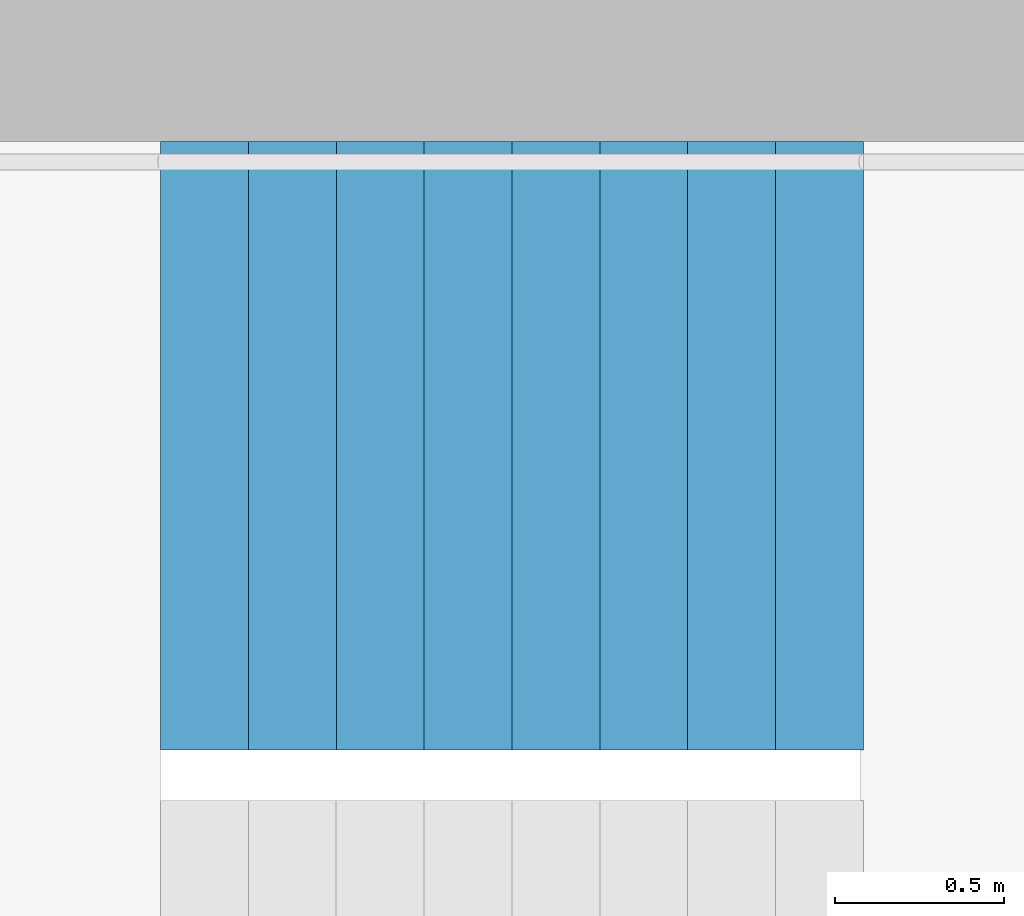
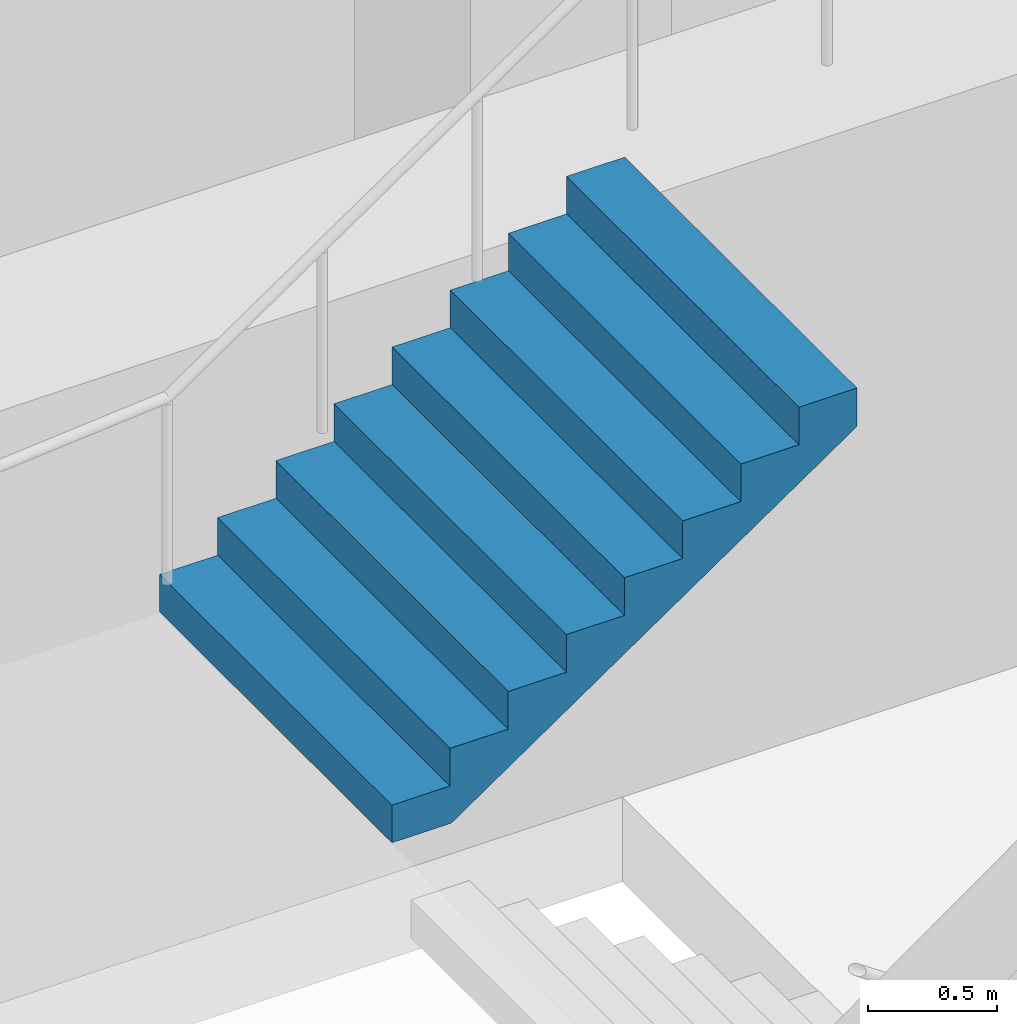
# One storey, part 28 of 29: 1 stair flight, 1 element without a shape of its own.
"""IFC4 building model written with IfcOpenShell, lengths in metres."""

from ifc_helpers import new_model, si_unit, direction, frame, origin, place, context, subcontext, project, spatial, triangles, material, type_object, element, aggregate, save


model = new_model("IFC4")

# Units and contexts
model_context = context("Model", 3, precision=1e-05, world=origin(), true_north=direction((0.0, 1.0)))
body_context = subcontext(model_context, "Body", "Model", "MODEL_VIEW")
ifc_project = project(units=[si_unit("LENGTHUNIT", "METRE"), si_unit("AREAUNIT", "SQUARE_METRE"), si_unit("VOLUMEUNIT", "CUBIC_METRE"), si_unit("PLANEANGLEUNIT", "RADIAN"), si_unit("MASSUNIT", "GRAM", prefix="KILO")], contexts=[model_context])

# Site, building, storey
site_placement = place(None, origin())
site = spatial("IfcSite", under=ifc_project, at=site_placement, CompositionType="ELEMENT")
building_placement = place(site_placement, origin())
building = spatial("IfcBuilding", under=site, at=building_placement, Name="Hakoniwa Tower and Hamabe Station Hall", CompositionType="ELEMENT")
storey_placement = place(building_placement, frame((0.0, 0.0, 78.60009765625)))
storey = spatial("IfcBuildingStorey", under=building, at=storey_placement, Name="L21", CompositionType="ELEMENT", Elevation=78.60009765625)

# Stair, stair flight
ifc_material_1 = material(Name="Concrete C40", Category="concrete")
stair_type = type_object("IfcStairType", Name="ESCAPE STAIR 1800", PredefinedType="HALF_TURN_STAIR", material=ifc_material_1)
stair_placement = place(storey_placement, origin())
stair = element("IfcStair", 1, at=stair_placement, inside=storey, type_object=stair_type, Name="Escape stair ST-3 L21", PredefinedType="HALF_TURN_STAIR")
ifc_material_2 = material(Name="Concrete C40", Category="concrete")
stair_flight_type = type_object("IfcStairFlightType", Name="STAIR FLIGHT 1800", PredefinedType="STRAIGHT", material=ifc_material_2)
stair_flight_placement = place(storey_placement, frame((22.320068359375, 6.60009765625, 1.599853515625), z_axis=(0.0, 0.0, 1.0), x_axis=(1.0, 0.0, 0.0)))
stair_flight = element("IfcStairFlight", 2, at=stair_flight_placement, type_object=stair_flight_type, Name="ST-3 flight 2", NumberOfRisers=9, NumberOfTreads=8, PredefinedType="STRAIGHT", RiserHeight=0.177777778, TreadLength=0.26, context=body_context, shape_type="Tessellation", body=[
    triangles([(0.0, 0.89990234375, 0.0), (0.260009765625, 0.89990234375, 0.0), (0.265625, 0.89990234375, 0.0), (0.52001953125, 0.89990234375, 0.174072265625), (0.780029296875, 0.89990234375, 0.351806640625), (1.0400390625, 0.89990234375, 0.529541015625), (1.300048828125, 0.89990234375, 0.707275390625), (1.56005859375, 0.89990234375, 0.885009765625), (1.820068359375, 0.89990234375, 1.062744140625), (2.080078125, 0.89990234375, 1.24072265625), (2.080078125, 0.89990234375, 1.422119140625), (1.820068359375, 0.89990234375, 1.422119140625), (1.820068359375, 0.89990234375, 1.244384765625), (1.56005859375, 0.89990234375, 1.244384765625), (1.56005859375, 0.89990234375, 1.066650390625), (1.300048828125, 0.89990234375, 1.066650390625), (1.300048828125, 0.89990234375, 0.888916015625), (1.0400390625, 0.89990234375, 0.888916015625), (1.0400390625, 0.89990234375, 0.711181640625), (0.780029296875, 0.89990234375, 0.711181640625), (0.780029296875, 0.89990234375, 0.533447265625), (0.52001953125, 0.89990234375, 0.533447265625), (0.52001953125, 0.89990234375, 0.35546875), (0.265625, 0.89990234375, 0.35546875), (0.260009765625, 0.89990234375, 0.35546875), (0.260009765625, 0.89990234375, 0.177734375), (0.0, 0.89990234375, 0.177734375), (0.0, 0.06005859375, 0.0), (0.260009765625, 0.06005859375, 0.0), (0.265625, 0.06005859375, 0.0), (0.52001953125, 0.06005859375, 0.174072265625), (0.780029296875, 0.06005859375, 0.351806640625), (1.0400390625, 0.06005859375, 0.529541015625), (1.300048828125, 0.06005859375, 0.707275390625), (1.56005859375, 0.06005859375, 0.885009765625), (1.820068359375, 0.06005859375, 1.062744140625), (2.080078125, 0.06005859375, 1.24072265625), (2.080078125, 0.06005859375, 1.422119140625), (1.820068359375, 0.06005859375, 1.422119140625), (1.820068359375, 0.06005859375, 1.244384765625), (1.56005859375, 0.06005859375, 1.244384765625), (1.56005859375, 0.06005859375, 1.066650390625), (1.300048828125, 0.06005859375, 1.066650390625), (1.300048828125, 0.06005859375, 0.888916015625), (1.0400390625, 0.06005859375, 0.888916015625), (1.0400390625, 0.06005859375, 0.711181640625), (0.780029296875, 0.06005859375, 0.711181640625), (0.780029296875, 0.06005859375, 0.533447265625), (0.52001953125, 0.06005859375, 0.533447265625), (0.52001953125, 0.06005859375, 0.35546875), (0.265625, 0.06005859375, 0.35546875), (0.260009765625, 0.06005859375, 0.35546875), (0.260009765625, 0.06005859375, 0.177734375), (0.0, 0.06005859375, 0.177734375), (0.0, 0.04296875, 0.0), (0.260009765625, 0.04296875, 0.0), (0.265625, 0.04296875, 0.0), (0.52001953125, 0.04296875, 0.174072265625), (0.780029296875, 0.04296875, 0.351806640625), (1.0400390625, 0.04296875, 0.529541015625), (1.300048828125, 0.04296875, 0.707275390625), (1.56005859375, 0.04296875, 0.885009765625), (1.820068359375, 0.04296875, 1.062744140625), (2.080078125, 0.04296875, 1.24072265625), (2.080078125, 0.04296875, 1.422119140625), (1.820068359375, 0.04296875, 1.422119140625), (1.820068359375, 0.04296875, 1.244384765625), (1.56005859375, 0.04296875, 1.244384765625), (1.56005859375, 0.04296875, 1.066650390625), (1.300048828125, 0.04296875, 1.066650390625), (1.300048828125, 0.04296875, 0.888916015625), (1.0400390625, 0.04296875, 0.888916015625), (1.0400390625, 0.04296875, 0.711181640625), (0.780029296875, 0.04296875, 0.711181640625), (0.780029296875, 0.04296875, 0.533447265625), (0.52001953125, 0.04296875, 0.533447265625), (0.52001953125, 0.04296875, 0.35546875), (0.265625, 0.04296875, 0.35546875), (0.260009765625, 0.04296875, 0.35546875), (0.260009765625, 0.04296875, 0.177734375), (0.0, 0.04296875, 0.177734375), (0.0, 0.025634765625, 0.0), (0.260009765625, 0.025634765625, 0.0), (0.265625, 0.025634765625, 0.0), (0.52001953125, 0.025634765625, 0.174072265625), (0.780029296875, 0.025634765625, 0.351806640625), (1.0400390625, 0.025634765625, 0.529541015625), (1.300048828125, 0.025634765625, 0.707275390625), (1.56005859375, 0.025634765625, 0.885009765625), (1.820068359375, 0.025634765625, 1.062744140625), (2.080078125, 0.025634765625, 1.24072265625), (2.080078125, 0.025634765625, 1.422119140625), (1.820068359375, 0.025634765625, 1.422119140625), (1.820068359375, 0.025634765625, 1.244384765625), (1.56005859375, 0.025634765625, 1.244384765625), (1.56005859375, 0.025634765625, 1.066650390625), (1.300048828125, 0.025634765625, 1.066650390625), (1.300048828125, 0.025634765625, 0.888916015625), (1.0400390625, 0.025634765625, 0.888916015625), (1.0400390625, 0.025634765625, 0.711181640625), (0.780029296875, 0.025634765625, 0.711181640625), (0.780029296875, 0.025634765625, 0.533447265625), (0.52001953125, 0.025634765625, 0.533447265625), (0.52001953125, 0.025634765625, 0.35546875), (0.265625, 0.025634765625, 0.35546875), (0.260009765625, 0.025634765625, 0.35546875), (0.260009765625, 0.025634765625, 0.177734375), (0.0, 0.025634765625, 0.177734375), (0.0, 0.008544921875, 0.0), (0.260009765625, 0.008544921875, 0.0), (0.265625, 0.008544921875, 0.0), (0.52001953125, 0.008544921875, 0.174072265625), (0.780029296875, 0.008544921875, 0.351806640625), (1.0400390625, 0.008544921875, 0.529541015625), (1.300048828125, 0.008544921875, 0.707275390625), (1.56005859375, 0.008544921875, 0.885009765625), (1.820068359375, 0.008544921875, 1.062744140625), (2.080078125, 0.008544921875, 1.24072265625), (2.080078125, 0.008544921875, 1.422119140625), (1.820068359375, 0.008544921875, 1.422119140625), (1.820068359375, 0.008544921875, 1.244384765625), (1.56005859375, 0.008544921875, 1.244384765625), (1.56005859375, 0.008544921875, 1.066650390625), (1.300048828125, 0.008544921875, 1.066650390625), (1.300048828125, 0.008544921875, 0.888916015625), (1.0400390625, 0.008544921875, 0.888916015625), (1.0400390625, 0.008544921875, 0.711181640625), (0.780029296875, 0.008544921875, 0.711181640625), (0.780029296875, 0.008544921875, 0.533447265625), (0.52001953125, 0.008544921875, 0.533447265625), (0.52001953125, 0.008544921875, 0.35546875), (0.265625, 0.008544921875, 0.35546875), (0.260009765625, 0.008544921875, 0.35546875), (0.260009765625, 0.008544921875, 0.177734375), (0.0, 0.008544921875, 0.177734375), (0.0, -0.008544921875, 0.0), (0.260009765625, -0.008544921875, 0.0), (0.265625, -0.008544921875, 0.0), (0.52001953125, -0.008544921875, 0.174072265625), (0.780029296875, -0.008544921875, 0.351806640625), (1.0400390625, -0.008544921875, 0.529541015625), (1.300048828125, -0.008544921875, 0.707275390625), (1.56005859375, -0.008544921875, 0.885009765625), (1.820068359375, -0.008544921875, 1.062744140625), (2.080078125, -0.008544921875, 1.24072265625), (2.080078125, -0.008544921875, 1.422119140625), (1.820068359375, -0.008544921875, 1.422119140625), (1.820068359375, -0.008544921875, 1.244384765625), (1.56005859375, -0.008544921875, 1.244384765625), (1.56005859375, -0.008544921875, 1.066650390625), (1.300048828125, -0.008544921875, 1.066650390625), (1.300048828125, -0.008544921875, 0.888916015625), (1.0400390625, -0.008544921875, 0.888916015625), (1.0400390625, -0.008544921875, 0.711181640625), (0.780029296875, -0.008544921875, 0.711181640625), (0.780029296875, -0.008544921875, 0.533447265625), (0.52001953125, -0.008544921875, 0.533447265625), (0.52001953125, -0.008544921875, 0.35546875), (0.265625, -0.008544921875, 0.35546875), (0.260009765625, -0.008544921875, 0.35546875), (0.260009765625, -0.008544921875, 0.177734375), (0.0, -0.008544921875, 0.177734375), (0.0, -0.025634765625, 0.0), (0.260009765625, -0.025634765625, 0.0), (0.265625, -0.025634765625, 0.0), (0.52001953125, -0.025634765625, 0.174072265625), (0.780029296875, -0.025634765625, 0.351806640625), (1.0400390625, -0.025634765625, 0.529541015625), (1.300048828125, -0.025634765625, 0.707275390625), (1.56005859375, -0.025634765625, 0.885009765625), (1.820068359375, -0.025634765625, 1.062744140625), (2.080078125, -0.025634765625, 1.24072265625), (2.080078125, -0.025634765625, 1.422119140625), (1.820068359375, -0.025634765625, 1.422119140625), (1.820068359375, -0.025634765625, 1.244384765625), (1.56005859375, -0.025634765625, 1.244384765625), (1.56005859375, -0.025634765625, 1.066650390625), (1.300048828125, -0.025634765625, 1.066650390625), (1.300048828125, -0.025634765625, 0.888916015625), (1.0400390625, -0.025634765625, 0.888916015625), (1.0400390625, -0.025634765625, 0.711181640625), (0.780029296875, -0.025634765625, 0.711181640625), (0.780029296875, -0.025634765625, 0.533447265625), (0.52001953125, -0.025634765625, 0.533447265625), (0.52001953125, -0.025634765625, 0.35546875), (0.265625, -0.025634765625, 0.35546875), (0.260009765625, -0.025634765625, 0.35546875), (0.260009765625, -0.025634765625, 0.177734375), (0.0, -0.025634765625, 0.177734375), (0.0, -0.04296875, 0.0), (0.260009765625, -0.04296875, 0.0), (0.265625, -0.04296875, 0.0), (0.52001953125, -0.04296875, 0.174072265625), (0.780029296875, -0.04296875, 0.351806640625), (1.0400390625, -0.04296875, 0.529541015625), (1.300048828125, -0.04296875, 0.707275390625), (1.56005859375, -0.04296875, 0.885009765625), (1.820068359375, -0.04296875, 1.062744140625), (2.080078125, -0.04296875, 1.24072265625), (2.080078125, -0.04296875, 1.422119140625), (1.820068359375, -0.04296875, 1.422119140625), (1.820068359375, -0.04296875, 1.244384765625), (1.56005859375, -0.04296875, 1.244384765625), (1.56005859375, -0.04296875, 1.066650390625), (1.300048828125, -0.04296875, 1.066650390625), (1.300048828125, -0.04296875, 0.888916015625), (1.0400390625, -0.04296875, 0.888916015625), (1.0400390625, -0.04296875, 0.711181640625), (0.780029296875, -0.04296875, 0.711181640625), (0.780029296875, -0.04296875, 0.533447265625), (0.52001953125, -0.04296875, 0.533447265625), (0.52001953125, -0.04296875, 0.35546875), (0.265625, -0.04296875, 0.35546875), (0.260009765625, -0.04296875, 0.35546875), (0.260009765625, -0.04296875, 0.177734375), (0.0, -0.04296875, 0.177734375), (0.0, -0.06005859375, 0.0), (0.260009765625, -0.06005859375, 0.0), (0.265625, -0.06005859375, 0.0), (0.52001953125, -0.06005859375, 0.174072265625), (0.780029296875, -0.06005859375, 0.351806640625), (1.0400390625, -0.06005859375, 0.529541015625), (1.300048828125, -0.06005859375, 0.707275390625), (1.56005859375, -0.06005859375, 0.885009765625), (1.820068359375, -0.06005859375, 1.062744140625), (2.080078125, -0.06005859375, 1.24072265625), (2.080078125, -0.06005859375, 1.422119140625), (1.820068359375, -0.06005859375, 1.422119140625), (1.820068359375, -0.06005859375, 1.244384765625), (1.56005859375, -0.06005859375, 1.244384765625), (1.56005859375, -0.06005859375, 1.066650390625), (1.300048828125, -0.06005859375, 1.066650390625), (1.300048828125, -0.06005859375, 0.888916015625), (1.0400390625, -0.06005859375, 0.888916015625), (1.0400390625, -0.06005859375, 0.711181640625), (0.780029296875, -0.06005859375, 0.711181640625), (0.780029296875, -0.06005859375, 0.533447265625), (0.52001953125, -0.06005859375, 0.533447265625), (0.52001953125, -0.06005859375, 0.35546875), (0.265625, -0.06005859375, 0.35546875), (0.260009765625, -0.06005859375, 0.35546875), (0.260009765625, -0.06005859375, 0.177734375), (0.0, -0.06005859375, 0.177734375), (0.0, -0.89990234375, 0.0), (0.260009765625, -0.89990234375, 0.0), (0.265625, -0.89990234375, 0.0), (0.52001953125, -0.89990234375, 0.174072265625), (0.780029296875, -0.89990234375, 0.351806640625), (1.0400390625, -0.89990234375, 0.529541015625), (1.300048828125, -0.89990234375, 0.707275390625), (1.56005859375, -0.89990234375, 0.885009765625), (1.820068359375, -0.89990234375, 1.062744140625), (2.080078125, -0.89990234375, 1.24072265625), (2.080078125, -0.89990234375, 1.422119140625), (1.820068359375, -0.89990234375, 1.422119140625), (1.820068359375, -0.89990234375, 1.244384765625), (1.56005859375, -0.89990234375, 1.244384765625), (1.56005859375, -0.89990234375, 1.066650390625), (1.300048828125, -0.89990234375, 1.066650390625), (1.300048828125, -0.89990234375, 0.888916015625), (1.0400390625, -0.89990234375, 0.888916015625), (1.0400390625, -0.89990234375, 0.711181640625), (0.780029296875, -0.89990234375, 0.711181640625), (0.780029296875, -0.89990234375, 0.533447265625), (0.52001953125, -0.89990234375, 0.533447265625), (0.52001953125, -0.89990234375, 0.35546875), (0.265625, -0.89990234375, 0.35546875), (0.260009765625, -0.89990234375, 0.35546875), (0.260009765625, -0.89990234375, 0.177734375), (0.0, -0.89990234375, 0.177734375)], [[2, 27, 26], [245, 269, 270], [2, 1, 27], [245, 270, 244], [3, 25, 24], [246, 267, 268], [3, 26, 25], [246, 268, 269], [3, 2, 26], [246, 269, 245], [4, 24, 23], [247, 266, 267], [4, 3, 24], [247, 267, 246], [5, 22, 21], [248, 264, 265], [5, 23, 22], [248, 265, 266], [5, 4, 23], [248, 266, 247], [6, 20, 19], [249, 262, 263], [6, 21, 20], [249, 263, 264], [6, 5, 21], [249, 264, 248], [7, 18, 17], [250, 260, 261], [7, 19, 18], [250, 261, 262], [7, 6, 19], [250, 262, 249], [8, 16, 15], [251, 258, 259], [8, 17, 16], [251, 259, 260], [8, 7, 17], [251, 260, 250], [9, 14, 13], [252, 256, 257], [9, 15, 14], [252, 257, 258], [9, 8, 15], [252, 258, 251], [10, 12, 11], [253, 254, 255], [10, 13, 12], [253, 255, 256], [10, 9, 13], [253, 256, 252], [1, 2, 29], [1, 29, 28], [28, 29, 56], [28, 56, 55], [55, 56, 83], [55, 83, 82], [82, 83, 110], [82, 110, 109], [109, 110, 137], [109, 137, 136], [136, 137, 164], [136, 164, 163], [163, 164, 191], [163, 191, 190], [190, 191, 218], [190, 218, 217], [217, 218, 245], [217, 245, 244], [2, 3, 30], [2, 30, 29], [29, 30, 57], [29, 57, 56], [56, 57, 84], [56, 84, 83], [83, 84, 111], [83, 111, 110], [110, 111, 138], [110, 138, 137], [137, 138, 165], [137, 165, 164], [164, 165, 192], [164, 192, 191], [191, 192, 219], [191, 219, 218], [218, 219, 246], [218, 246, 245], [3, 4, 31], [3, 31, 30], [30, 31, 58], [30, 58, 57], [57, 58, 85], [57, 85, 84], [84, 85, 112], [84, 112, 111], [111, 112, 139], [111, 139, 138], [138, 139, 166], [138, 166, 165], [165, 166, 193], [165, 193, 192], [192, 193, 220], [192, 220, 219], [219, 220, 247], [219, 247, 246], [4, 5, 32], [4, 32, 31], [31, 32, 59], [31, 59, 58], [58, 59, 86], [58, 86, 85], [85, 86, 113], [85, 113, 112], [112, 113, 140], [112, 140, 139], [139, 140, 167], [139, 167, 166], [166, 167, 194], [166, 194, 193], [193, 194, 221], [193, 221, 220], [220, 221, 248], [220, 248, 247], [5, 6, 33], [5, 33, 32], [32, 33, 60], [32, 60, 59], [59, 60, 87], [59, 87, 86], [86, 87, 114], [86, 114, 113], [113, 114, 141], [113, 141, 140], [140, 141, 168], [140, 168, 167], [167, 168, 195], [167, 195, 194], [194, 195, 222], [194, 222, 221], [221, 222, 249], [221, 249, 248], [6, 7, 34], [6, 34, 33], [33, 34, 61], [33, 61, 60], [60, 61, 88], [60, 88, 87], [87, 88, 115], [87, 115, 114], [114, 115, 142], [114, 142, 141], [141, 142, 169], [141, 169, 168], [168, 169, 196], [168, 196, 195], [195, 196, 223], [195, 223, 222], [222, 223, 250], [222, 250, 249], [7, 8, 35], [7, 35, 34], [34, 35, 62], [34, 62, 61], [61, 62, 89], [61, 89, 88], [88, 89, 116], [88, 116, 115], [115, 116, 143], [115, 143, 142], [142, 143, 170], [142, 170, 169], [169, 170, 197], [169, 197, 196], [196, 197, 224], [196, 224, 223], [223, 224, 251], [223, 251, 250], [8, 9, 36], [8, 36, 35], [35, 36, 63], [35, 63, 62], [62, 63, 90], [62, 90, 89], [89, 90, 117], [89, 117, 116], [116, 117, 144], [116, 144, 143], [143, 144, 171], [143, 171, 170], [170, 171, 198], [170, 198, 197], [197, 198, 225], [197, 225, 224], [224, 225, 252], [224, 252, 251], [9, 10, 37], [9, 37, 36], [36, 37, 64], [36, 64, 63], [63, 64, 91], [63, 91, 90], [90, 91, 118], [90, 118, 117], [117, 118, 145], [117, 145, 144], [144, 145, 172], [144, 172, 171], [171, 172, 199], [171, 199, 198], [198, 199, 226], [198, 226, 225], [225, 226, 253], [225, 253, 252], [10, 11, 38], [10, 38, 37], [37, 38, 65], [37, 65, 64], [64, 65, 92], [64, 92, 91], [91, 92, 119], [91, 119, 118], [118, 119, 146], [118, 146, 145], [145, 146, 173], [145, 173, 172], [172, 173, 200], [172, 200, 199], [199, 200, 227], [199, 227, 226], [226, 227, 254], [226, 254, 253], [11, 12, 39], [11, 39, 38], [38, 39, 66], [38, 66, 65], [65, 66, 93], [65, 93, 92], [92, 93, 120], [92, 120, 119], [119, 120, 147], [119, 147, 146], [146, 147, 174], [146, 174, 173], [173, 174, 201], [173, 201, 200], [200, 201, 228], [200, 228, 227], [227, 228, 255], [227, 255, 254], [12, 13, 40], [12, 40, 39], [39, 40, 67], [39, 67, 66], [66, 67, 94], [66, 94, 93], [93, 94, 121], [93, 121, 120], [120, 121, 148], [120, 148, 147], [147, 148, 175], [147, 175, 174], [174, 175, 202], [174, 202, 201], [201, 202, 229], [201, 229, 228], [228, 229, 256], [228, 256, 255], [13, 14, 41], [13, 41, 40], [40, 41, 68], [40, 68, 67], [67, 68, 95], [67, 95, 94], [94, 95, 122], [94, 122, 121], [121, 122, 149], [121, 149, 148], [148, 149, 176], [148, 176, 175], [175, 176, 203], [175, 203, 202], [202, 203, 230], [202, 230, 229], [229, 230, 257], [229, 257, 256], [14, 15, 42], [14, 42, 41], [41, 42, 69], [41, 69, 68], [68, 69, 96], [68, 96, 95], [95, 96, 123], [95, 123, 122], [122, 123, 150], [122, 150, 149], [149, 150, 177], [149, 177, 176], [176, 177, 204], [176, 204, 203], [203, 204, 231], [203, 231, 230], [230, 231, 258], [230, 258, 257], [15, 16, 43], [15, 43, 42], [42, 43, 70], [42, 70, 69], [69, 70, 97], [69, 97, 96], [96, 97, 124], [96, 124, 123], [123, 124, 151], [123, 151, 150], [150, 151, 178], [150, 178, 177], [177, 178, 205], [177, 205, 204], [204, 205, 232], [204, 232, 231], [231, 232, 259], [231, 259, 258], [16, 17, 44], [16, 44, 43], [43, 44, 71], [43, 71, 70], [70, 71, 98], [70, 98, 97], [97, 98, 125], [97, 125, 124], [124, 125, 152], [124, 152, 151], [151, 152, 179], [151, 179, 178], [178, 179, 206], [178, 206, 205], [205, 206, 233], [205, 233, 232], [232, 233, 260], [232, 260, 259], [17, 18, 45], [17, 45, 44], [44, 45, 72], [44, 72, 71], [71, 72, 99], [71, 99, 98], [98, 99, 126], [98, 126, 125], [125, 126, 153], [125, 153, 152], [152, 153, 180], [152, 180, 179], [179, 180, 207], [179, 207, 206], [206, 207, 234], [206, 234, 233], [233, 234, 261], [233, 261, 260], [18, 19, 46], [18, 46, 45], [45, 46, 73], [45, 73, 72], [72, 73, 100], [72, 100, 99], [99, 100, 127], [99, 127, 126], [126, 127, 154], [126, 154, 153], [153, 154, 181], [153, 181, 180], [180, 181, 208], [180, 208, 207], [207, 208, 235], [207, 235, 234], [234, 235, 262], [234, 262, 261], [19, 20, 47], [19, 47, 46], [46, 47, 74], [46, 74, 73], [73, 74, 101], [73, 101, 100], [100, 101, 128], [100, 128, 127], [127, 128, 155], [127, 155, 154], [154, 155, 182], [154, 182, 181], [181, 182, 209], [181, 209, 208], [208, 209, 236], [208, 236, 235], [235, 236, 263], [235, 263, 262], [20, 21, 48], [20, 48, 47], [47, 48, 75], [47, 75, 74], [74, 75, 102], [74, 102, 101], [101, 102, 129], [101, 129, 128], [128, 129, 156], [128, 156, 155], [155, 156, 183], [155, 183, 182], [182, 183, 210], [182, 210, 209], [209, 210, 237], [209, 237, 236], [236, 237, 264], [236, 264, 263], [21, 22, 49], [21, 49, 48], [48, 49, 76], [48, 76, 75], [75, 76, 103], [75, 103, 102], [102, 103, 130], [102, 130, 129], [129, 130, 157], [129, 157, 156], [156, 157, 184], [156, 184, 183], [183, 184, 211], [183, 211, 210], [210, 211, 238], [210, 238, 237], [237, 238, 265], [237, 265, 264], [22, 23, 50], [22, 50, 49], [49, 50, 77], [49, 77, 76], [76, 77, 104], [76, 104, 103], [103, 104, 131], [103, 131, 130], [130, 131, 158], [130, 158, 157], [157, 158, 185], [157, 185, 184], [184, 185, 212], [184, 212, 211], [211, 212, 239], [211, 239, 238], [238, 239, 266], [238, 266, 265], [23, 24, 51], [23, 51, 50], [50, 51, 78], [50, 78, 77], [77, 78, 105], [77, 105, 104], [104, 105, 132], [104, 132, 131], [131, 132, 159], [131, 159, 158], [158, 159, 186], [158, 186, 185], [185, 186, 213], [185, 213, 212], [212, 213, 240], [212, 240, 239], [239, 240, 267], [239, 267, 266], [24, 25, 52], [24, 52, 51], [51, 52, 79], [51, 79, 78], [78, 79, 106], [78, 106, 105], [105, 106, 133], [105, 133, 132], [132, 133, 160], [132, 160, 159], [159, 160, 187], [159, 187, 186], [186, 187, 214], [186, 214, 213], [213, 214, 241], [213, 241, 240], [240, 241, 268], [240, 268, 267], [25, 26, 53], [25, 53, 52], [52, 53, 80], [52, 80, 79], [79, 80, 107], [79, 107, 106], [106, 107, 134], [106, 134, 133], [133, 134, 161], [133, 161, 160], [160, 161, 188], [160, 188, 187], [187, 188, 215], [187, 215, 214], [214, 215, 242], [214, 242, 241], [241, 242, 269], [241, 269, 268], [26, 27, 54], [26, 54, 53], [53, 54, 81], [53, 81, 80], [80, 81, 108], [80, 108, 107], [107, 108, 135], [107, 135, 134], [134, 135, 162], [134, 162, 161], [161, 162, 189], [161, 189, 188], [188, 189, 216], [188, 216, 215], [215, 216, 243], [215, 243, 242], [242, 243, 270], [242, 270, 269], [27, 1, 28], [27, 28, 54], [54, 28, 55], [54, 55, 81], [81, 55, 82], [81, 82, 108], [108, 82, 109], [108, 109, 135], [135, 109, 136], [135, 136, 162], [162, 136, 163], [162, 163, 189], [189, 163, 190], [189, 190, 216], [216, 190, 217], [216, 217, 243], [243, 217, 244], [243, 244, 270]], closed=True),
])
aggregate(stair, [stair_flight])

save(model, "model.ifc")
